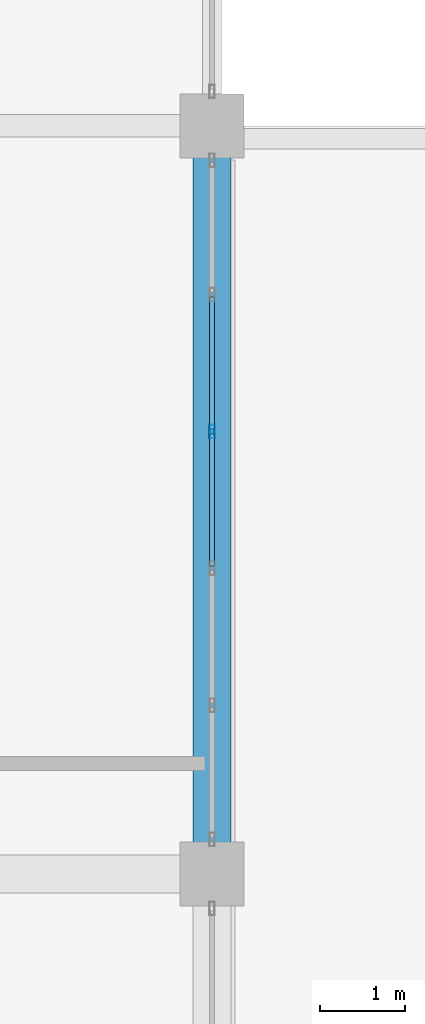
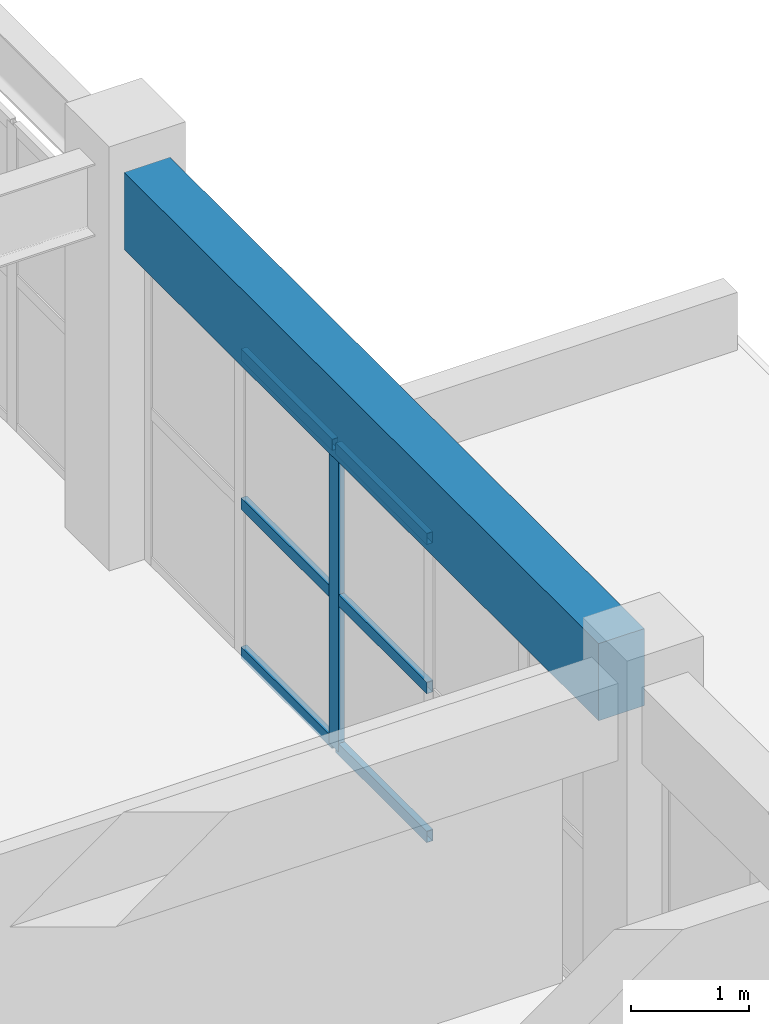
# One storey, part 49 of 90: 7 members, 1 beam, 1 element without a shape of its own.
"""IFC4 building model written with IfcOpenShell, lengths in metres."""

import ifcopenshell
import ifcopenshell.guid

model = None  # the IFC model being written
_history = None  # IfcOwnerHistory: only IFC2X3 demands one
_inside = {}  # id of a spatial element -> (the spatial element, [elements in it])
_under = {}  # id of a project, library or spatial element -> (it, [spatial elements below it])
_declared = {}  # id of a project -> (the project, [libraries it declares])
_typed = {}  # id of a type object -> (the type object, [elements of that type])
_made_of = {}  # id of a material, layer set ... -> (it, [elements and type objects made of it])


def new_model(schema):
    """Start an empty IFC model of exactly this schema.

    Asked for "IFC4X3", IfcOpenShell would pick the latest addendum, in which some entities
    have other attributes; the version numbers below select the first issue.
    IFC2X3 requires an IfcOwnerHistory on every rooted entity: one is made here for all.
    """
    global model, _history
    if schema == "IFC4X3":
        model = ifcopenshell.file(schema_version=(4, 3, 0, 0))
    else:
        model = ifcopenshell.file(schema=schema)
    _inside.clear()
    _under.clear()
    _declared.clear()
    _typed.clear()
    _made_of.clear()
    _history = None
    if model.schema == "IFC2X3":
        org = make("IfcOrganization", Name="unknown")
        user = make(
            "IfcPersonAndOrganization",
            ThePerson=make("IfcPerson", FamilyName="unknown"),
            TheOrganization=org,
        )
        app = make(
            "IfcApplication",
            ApplicationDeveloper=org,
            Version="unknown",
            ApplicationFullName="unknown",
            ApplicationIdentifier="unknown",
        )
        _history = make(
            "IfcOwnerHistory",
            OwningUser=user,
            OwningApplication=app,
            ChangeAction="ADDED",
            CreationDate=0,
        )
    return model


def make(cls, **values):
    """One entity of the class cls with the attributes given. An attribute that is None is left unset."""
    return model.create_entity(
        cls, **{name: value for name, value in values.items() if value is not None}
    )


def rooted(cls, **values):
    """An entity with a GlobalId (a new one), such as an element, a storey or a relation."""
    return make(cls, GlobalId=ifcopenshell.guid.new(), OwnerHistory=_history, **values)


def si_unit(unit_type, name, prefix=None):
    """IfcSIUnit, for example si_unit("LENGTHUNIT", "METRE", prefix="MILLI")."""
    return make("IfcSIUnit", UnitType=unit_type, Prefix=prefix, Name=name)


def assignment(units):
    """IfcUnitAssignment: the units of a project."""
    return None if units is None else make("IfcUnitAssignment", Units=units)


def point(xyz):
    """IfcCartesianPoint."""
    return None if xyz is None else make("IfcCartesianPoint", Coordinates=xyz)


def direction(xyz):
    """IfcDirection."""
    return None if xyz is None else make("IfcDirection", DirectionRatios=xyz)


def frame(location, z_axis=None, x_axis=None):
    """IfcAxis2Placement3D, a coordinate frame: its origin and axes. An axis left out is left unset."""
    return make(
        "IfcAxis2Placement3D",
        Location=point(location),
        Axis=direction(z_axis),
        RefDirection=direction(x_axis),
    )


def frame_2d(location, x_axis=None):
    """IfcAxis2Placement2D, a coordinate frame in the plane: its origin and x axis."""
    return make(
        "IfcAxis2Placement2D", Location=point(location), RefDirection=direction(x_axis)
    )


def origin():
    """The frame at (0, 0, 0) with its axes left unset."""
    return frame((0.0, 0.0, 0.0))


def origin_2d():
    """The frame at (0, 0) in the plane with its x axis left unset."""
    return frame_2d((0.0, 0.0))


def place(relative_to, where):
    """IfcLocalPlacement: puts the frame where relative to a parent placement (None: the world)."""
    return make(
        "IfcLocalPlacement", PlacementRelTo=relative_to, RelativePlacement=where
    )


def context(
    kind, dimensions, precision=None, world=None, true_north=None, identifier=None
):
    """IfcGeometricRepresentationContext, for example the 3D "Model" context."""
    return make(
        "IfcGeometricRepresentationContext",
        ContextIdentifier=identifier,
        ContextType=kind,
        CoordinateSpaceDimension=dimensions,
        Precision=precision,
        WorldCoordinateSystem=world,
        TrueNorth=true_north,
    )


def subcontext(parent, identifier, kind, view, scale=None):
    """IfcGeometricRepresentationSubContext, for example "Body" below "Model"."""
    return make(
        "IfcGeometricRepresentationSubContext",
        ContextIdentifier=identifier,
        ContextType=kind,
        ParentContext=parent,
        TargetScale=scale,
        TargetView=view,
    )


def project(units=None, contexts=None):
    """IfcProject with its units and contexts."""
    return rooted(
        "IfcProject",
        Name="project",
        RepresentationContexts=contexts,
        UnitsInContext=assignment(units),
    )


def spatial(cls, under=None, at=None, **own):
    """A site, building, storey or space (cls), placed at a placement, below another one or the project."""
    s = rooted(cls, ObjectPlacement=at, **own)
    if under is not None:
        _under.setdefault(under.id(), (under, []))[1].append(s)
    return s


def profile(cls, at=None, kind="AREA", **sizes):
    """A parametric profile (cls). Its sizes go by their IFC names, for example OverallWidth=200.0."""
    return make(cls, ProfileType=kind, Position=at, **sizes)


def rectangle(**sizes):
    """IfcRectangleProfileDef."""
    return profile("IfcRectangleProfileDef", **sizes)


def hollow_rectangle(**sizes):
    """IfcRectangleHollowProfileDef."""
    return profile("IfcRectangleHollowProfileDef", **sizes)


def extrude(swept, where, along, depth):
    """IfcExtrudedAreaSolid: the profile swept, set in the frame where, extruded along a direction by depth."""
    return make(
        "IfcExtrudedAreaSolid",
        SweptArea=swept,
        Position=where,
        ExtrudedDirection=direction(along),
        Depth=depth,
    )


def shape(context_of_items, identifier, shape_type, items):
    """IfcShapeRepresentation: the items that make up one representation, for example the "Body"."""
    return make(
        "IfcShapeRepresentation",
        ContextOfItems=context_of_items,
        RepresentationIdentifier=identifier,
        RepresentationType=shape_type,
        Items=items,
    )


def material(Name=None, Category=None):
    """IfcMaterial."""
    return make("IfcMaterial", Name=Name, Category=Category)


def layer(
    of_material, thickness, ventilated=None, Name=None, Category=None, Priority=None
):
    """IfcMaterialLayer: one layer of a wall or slab, of a material (None: an air gap)."""
    return make(
        "IfcMaterialLayer",
        Material=of_material,
        LayerThickness=thickness,
        IsVentilated=ventilated,
        Name=Name,
        Category=Category,
        Priority=Priority,
    )


def layer_set(layers, Name=None):
    """IfcMaterialLayerSet."""
    return make("IfcMaterialLayerSet", MaterialLayers=layers, LayerSetName=Name)


def material_profile(
    of_material, cross_section, Name=None, Category=None, Priority=None
):
    """IfcMaterialProfile: a cross section and its material."""
    return make(
        "IfcMaterialProfile",
        Name=Name,
        Material=of_material,
        Profile=cross_section,
        Priority=Priority,
        Category=Category,
    )


def profile_set(profiles, Name=None, composite=None):
    """IfcMaterialProfileSet."""
    return make(
        "IfcMaterialProfileSet",
        Name=Name,
        MaterialProfiles=profiles,
        CompositeProfile=composite,
    )


def made_of(thing, what):
    """Note that an element or type object is made of a material, layer set ...; save() writes the relation."""
    if what is not None:
        _made_of.setdefault(what.id(), (what, []))[1].append(thing)
    return thing


def type_object(cls, material=None, **own):
    """A type object (cls), such as IfcWallType, which elements share."""
    return made_of(rooted(cls, **own), material)


def element(
    cls,
    number,
    at=None,
    inside=None,
    cuts=None,
    type_object=None,
    material=None,
    context=None,
    identifier="Body",
    shape_type=None,
    held_by="IfcProductDefinitionShape",
    body=None,
    shapes=None,
    **own,
):
    """One element of the class cls, such as IfcWall. Its Tag is "e" and its number.

    at: its placement. inside: the storey or other place that contains it. cuts: it is an
    opening in that element (IfcRelVoidsElement). A single representation is given by context,
    identifier, shape_type and body (its items); several are given by shapes. held_by: the class
    of the entity that holds the representations. save() writes the other relations.
    """
    e = rooted(cls, Tag="e%d" % number, ObjectPlacement=at, **own)
    if body is not None:
        shapes = [shape(context, identifier, shape_type, body)]
    if shapes is not None:
        e.Representation = make(held_by, Representations=shapes)
    if inside is not None:
        _inside.setdefault(inside.id(), (inside, []))[1].append(e)
    if cuts is not None:
        rooted(
            "IfcRelVoidsElement", RelatingBuildingElement=cuts, RelatedOpeningElement=e
        )
    if type_object is not None:
        _typed.setdefault(type_object.id(), (type_object, []))[1].append(e)
    return made_of(e, material)


def aggregate(whole, parts):
    """IfcRelAggregates: a whole, such as a stair, and the parts it consists of."""
    return rooted("IfcRelAggregates", RelatingObject=whole, RelatedObjects=parts)


def save(model, path):
    """Write the relations noted so far, then the file.

    IfcRelAggregates (storeys below a building ...), IfcRelContainedInSpatialStructure (elements
    in a storey), IfcRelDefinesByType, IfcRelAssociatesMaterial and IfcRelDeclares: one each for
    every whole, place, type object, material and project.
    """
    for whole, parts in _under.values():
        aggregate(whole, parts)
    for where, things in _inside.values():
        rooted(
            "IfcRelContainedInSpatialStructure",
            RelatedElements=things,
            RelatingStructure=where,
        )
    for kind, things in _typed.values():
        rooted("IfcRelDefinesByType", RelatedObjects=things, RelatingType=kind)
    for what, things in _made_of.values():
        rooted("IfcRelAssociatesMaterial", RelatedObjects=things, RelatingMaterial=what)
    for by, libraries in _declared.values():
        rooted("IfcRelDeclares", RelatingContext=by, RelatedDefinitions=libraries)
    model.write(path)


model = new_model("IFC4")

# Units and contexts
model_context = context("Model", 3, precision=1e-05, world=origin(), true_north=direction((0.0, 1.0)))
body_context = subcontext(model_context, "Body", "Model", "MODEL_VIEW")
ifc_project = project(units=[si_unit("LENGTHUNIT", "METRE"), si_unit("AREAUNIT", "SQUARE_METRE"), si_unit("VOLUMEUNIT", "CUBIC_METRE"), si_unit("PLANEANGLEUNIT", "RADIAN"), si_unit("MASSUNIT", "GRAM", prefix="KILO")], contexts=[model_context])

# Site, building, storey
site_placement = place(None, origin())
site = spatial("IfcSite", under=ifc_project, at=site_placement, CompositionType="ELEMENT")
building_placement = place(site_placement, origin())
building = spatial("IfcBuilding", under=site, at=building_placement, Name="Muzn Square Opera House", CompositionType="ELEMENT")
storey_placement = place(building_placement, frame((0.0, 0.0, 9.800048828125)))
storey = spatial("IfcBuildingStorey", under=building, at=storey_placement, Name="L02", CompositionType="ELEMENT", Elevation=9.800048828125)

# Curtain wall, members
ifc_material_1 = material(Name="Low-E laminated acoustic double glazing", Category="glass")
ifc_layer = layer(ifc_material_1, 0.159912109375, Name="Low-E laminated acoustic double glazing", Category="glass")
ifc_layer_set = layer_set([ifc_layer], Name="Low-E laminated acoustic double glazing")
curtain_wall_type = type_object("IfcCurtainWallType", Name="Glazed Curtain Wall RehearsalEast 8050x3150", PredefinedType="USERDEFINED", material=ifc_layer_set)
curtain_wall_placement = place(storey_placement, origin())
curtain_wall = element("IfcCurtainWall", 1, at=curtain_wall_placement, inside=storey, type_object=curtain_wall_type, Name="Glazed Curtain Wall CW-L02-124", ObjectType="GLAZED CURTAIN WALL", PredefinedType="USERDEFINED")
ifc_material_2 = material(Name="Anodised bronze aluminium 6063-T6", Category="metal")
ifc_material_profile_1 = material_profile(ifc_material_2, hollow_rectangle(XDim=0.06005859375, YDim=0.159912109375, WallThickness=0.00390625, at=origin_2d()), Name="ALU 160x60x4", Category="metal")
ifc_profile_set_1 = profile_set([ifc_material_profile_1], Name="Anodised bronze aluminium 6063-T6")
member_type_1 = type_object("IfcMemberType", Name="Curtain Wall Mullion 160x60", PredefinedType="MULLION", material=ifc_profile_set_1)
member_1_placement = place(storey_placement, frame((170.0, 95.0048828125, 0.0), z_axis=(0.0, 0.0, 1.0), x_axis=(-1.0, 0.0, 0.0)))
member_1 = element("IfcMember", 2, at=member_1_placement, type_object=member_type_1, Name="CW-RHE-80x31 mullion 4", PredefinedType="MULLION", context=body_context, shape_type="SweptSolid", body=[
    extrude(hollow_rectangle(XDim=0.06005859375, YDim=0.159912109375, WallThickness=0.00390625, at=origin_2d()), origin(), (0.0, 0.0, 1.0), 3.14990234375),
])
ifc_material_profile_2 = material_profile(ifc_material_2, hollow_rectangle(XDim=0.06005859375, YDim=0.1201171875, WallThickness=0.00390625, at=origin_2d()), Name="ALU 120x60x4", Category="metal")
ifc_profile_set_2 = profile_set([ifc_material_profile_2], Name="Anodised bronze aluminium 6063-T6")
member_type_2 = type_object("IfcMemberType", Name="Curtain Wall Transom 120x60", PredefinedType="USERDEFINED", material=ifc_profile_set_2)
member_2_placement = place(storey_placement, frame((170.0, 93.425048828125, 0.030029296875), z_axis=(0.0, 1.0, 0.0), x_axis=(-1.0, 0.0, 0.0)))
member_2 = element("IfcMember", 3, at=member_2_placement, type_object=member_type_2, Name="CW-RHE-80x31 transom 3.1", ObjectType="TRANSOM", PredefinedType="USERDEFINED", context=body_context, shape_type="SweptSolid", body=[
    extrude(hollow_rectangle(XDim=0.06005859375, YDim=0.1201171875, WallThickness=0.00390625, at=origin_2d()), origin(), (0.0, 0.0, 1.0), 1.550048828125),
])
member_3_placement = place(storey_placement, frame((170.0, 93.425048828125, 1.574951171875), z_axis=(0.0, 1.0, 0.0), x_axis=(-1.0, 0.0, 0.0)))
member_3 = element("IfcMember", 4, at=member_3_placement, type_object=member_type_2, Name="CW-RHE-80x31 transom 3.2", ObjectType="TRANSOM", PredefinedType="USERDEFINED", context=body_context, shape_type="SweptSolid", body=[
    extrude(hollow_rectangle(XDim=0.06005859375, YDim=0.1201171875, WallThickness=0.00390625, at=origin_2d()), origin(), (0.0, 0.0, 1.0), 1.550048828125),
])
member_4_placement = place(storey_placement, frame((170.0, 93.425048828125, 3.119873046875), z_axis=(0.0, 1.0, 0.0), x_axis=(-1.0, 0.0, 0.0)))
member_4 = element("IfcMember", 5, at=member_4_placement, type_object=member_type_2, Name="CW-RHE-80x31 transom 3.3", ObjectType="TRANSOM", PredefinedType="USERDEFINED", context=body_context, shape_type="SweptSolid", body=[
    extrude(hollow_rectangle(XDim=0.06005859375, YDim=0.1201171875, WallThickness=0.00390625, at=origin_2d()), origin(), (0.0, 0.0, 1.0), 1.550048828125),
])
member_5_placement = place(storey_placement, frame((170.0, 95.034912109375, 0.030029296875), z_axis=(0.0, 1.0, 0.0), x_axis=(-1.0, 0.0, 0.0)))
member_5 = element("IfcMember", 6, at=member_5_placement, type_object=member_type_2, Name="CW-RHE-80x31 transom 4.1", ObjectType="TRANSOM", PredefinedType="USERDEFINED", context=body_context, shape_type="SweptSolid", body=[
    extrude(hollow_rectangle(XDim=0.06005859375, YDim=0.1201171875, WallThickness=0.00390625, at=origin_2d()), origin(), (0.0, 0.0, 1.0), 1.550048828125),
])
member_6_placement = place(storey_placement, frame((170.0, 95.034912109375, 1.574951171875), z_axis=(0.0, 1.0, 0.0), x_axis=(-1.0, 0.0, 0.0)))
member_6 = element("IfcMember", 7, at=member_6_placement, type_object=member_type_2, Name="CW-RHE-80x31 transom 4.2", ObjectType="TRANSOM", PredefinedType="USERDEFINED", context=body_context, shape_type="SweptSolid", body=[
    extrude(hollow_rectangle(XDim=0.06005859375, YDim=0.1201171875, WallThickness=0.00390625, at=origin_2d()), origin(), (0.0, 0.0, 1.0), 1.550048828125),
])
member_7_placement = place(storey_placement, frame((170.0, 95.034912109375, 3.119873046875), z_axis=(0.0, 1.0, 0.0), x_axis=(-1.0, 0.0, 0.0)))
member_7 = element("IfcMember", 8, at=member_7_placement, type_object=member_type_2, Name="CW-RHE-80x31 transom 4.3", ObjectType="TRANSOM", PredefinedType="USERDEFINED", context=body_context, shape_type="SweptSolid", body=[
    extrude(hollow_rectangle(XDim=0.06005859375, YDim=0.1201171875, WallThickness=0.00390625, at=origin_2d()), origin(), (0.0, 0.0, 1.0), 1.550048828125),
])
aggregate(curtain_wall, [member_1, member_2, member_3, member_4, member_5, member_6, member_7])

# Beam
ifc_material_3 = material(Name="Concrete C40/50", Category="concrete")
ifc_material_profile_3 = material_profile(ifc_material_3, rectangle(XDim=0.449951171875, YDim=0.800048828125, at=origin_2d()), Name="RCB 450x800", Category="concrete")
ifc_profile_set_3 = profile_set([ifc_material_profile_3], Name="Concrete C40/50")
beam_type = type_object("IfcBeamType", Name="Primary Girder 450x800", PredefinedType="BEAM", material=ifc_profile_set_3)
beam_placement = place(storey_placement, frame((170.0, 90.1669921875, 3.679931640625), z_axis=(0.0, 1.0, 0.0), x_axis=(-1.0, 0.0, 0.0)))
element("IfcBeam", 9, at=beam_placement, inside=storey, type_object=beam_type, Name="Primary Girder BM-L02-BM-PG800-1700_902_1700_982-2293", PredefinedType="BEAM", context=body_context, shape_type="SweptSolid", body=[
    extrude(rectangle(XDim=0.449951171875, YDim=0.800048828125, at=origin_2d()), origin(), (0.0, 0.0, 1.0), 8.06591796875),
])

save(model, "model.ifc")
